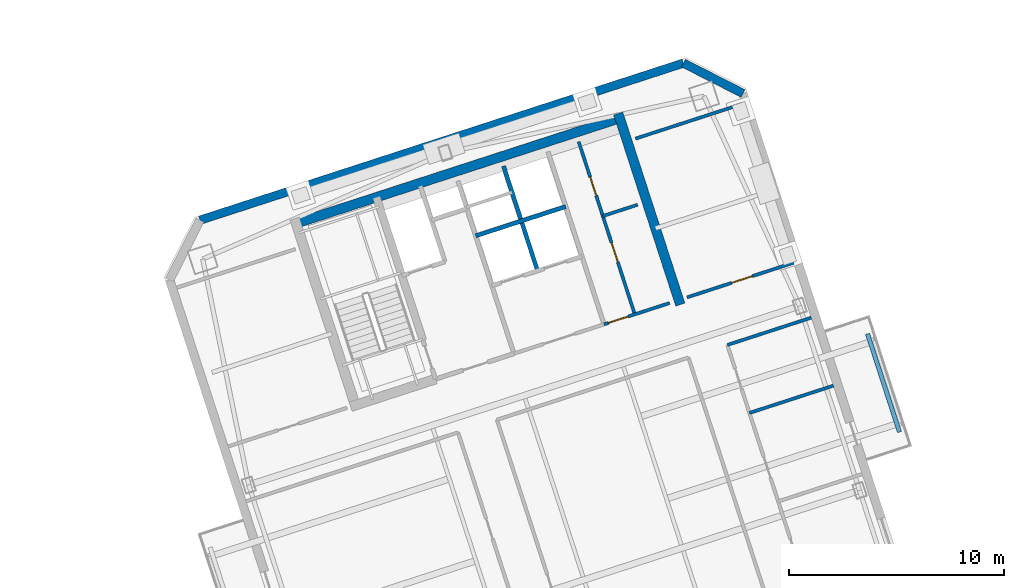
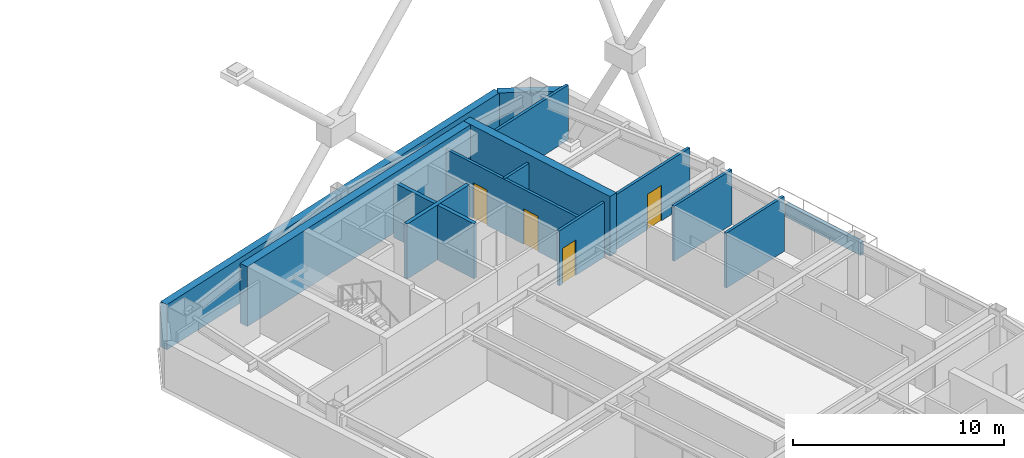
# One storey, part 11 of 16: 14 walls, 4 doors, 4 openings.
"""IFC4 building model written with IfcOpenShell, lengths in metres."""

from ifc_helpers import new_model, si_unit, direction, frame, frame_2d, origin, place, context, subcontext, project, spatial, rectangle, extrude, material, layer, layer_set, type_object, element, fill, save


model = new_model("IFC4")

# Units and contexts
model_context = context("Model", 3, precision=1e-05, world=origin(), true_north=direction((0.0, 1.0)))
body_context = subcontext(model_context, "Body", "Model", "MODEL_VIEW")
ifc_project = project(units=[si_unit("LENGTHUNIT", "METRE"), si_unit("AREAUNIT", "SQUARE_METRE"), si_unit("VOLUMEUNIT", "CUBIC_METRE"), si_unit("PLANEANGLEUNIT", "RADIAN"), si_unit("MASSUNIT", "GRAM", prefix="KILO")], contexts=[model_context])

# Site, building, storey
site_placement = place(None, origin())
site = spatial("IfcSite", under=ifc_project, at=site_placement, CompositionType="ELEMENT")
building_placement = place(site_placement, origin())
building = spatial("IfcBuilding", under=site, at=building_placement, Name="Qiaolan Cultural Towers", CompositionType="ELEMENT")
storey_placement = place(building_placement, frame((0.0, 0.0, 198.949951171875)))
storey = spatial("IfcBuildingStorey", under=building, at=storey_placement, Name="L53", CompositionType="ELEMENT", Elevation=198.949951171875)

# Walls
ifc_material_1 = material(Name="Concrete C50", Category="concrete")
ifc_layer_1 = layer(ifc_material_1, 0.449951171875)
ifc_layer_set_1 = layer_set([ifc_layer_1], Name="Concrete C50")
wall_type_1 = type_object("IfcWallType", Name="WL-CORE-450", PredefinedType="SHEAR", material=ifc_layer_set_1)
wall_1_placement = place(storey_placement, frame((76.414794921875, 50.489013671875, 0.0), z_axis=(0.0, 0.0, 1.0), x_axis=(0.951056810414, 0.309016089169, 0.0)))
element("IfcWall", 1, at=wall_1_placement, inside=storey, type_object=wall_type_1, Name="L53 T2-CN Outer Core Shear Wall", PredefinedType="SHEAR", context=body_context, shape_type="SweptSolid", body=[
    extrude(rectangle(XDim=16.25, YDim=0.449951171875, at=frame_2d((8.125, 0.0))), origin(), (0.0, 0.0, 1.0), 3.449951171875),
])
wall_2_placement = place(storey_placement, frame((94.468994140625, 46.781494140625, 0.0), z_axis=(0.0, 0.0, 1.0), x_axis=(-0.309004419953, 0.951060601881, 0.0)))
element("IfcWall", 2, at=wall_2_placement, inside=storey, type_object=wall_type_1, Name="L53 T2-CN East Core Shear Wall", PredefinedType="SHEAR", context=body_context, shape_type="SweptSolid", body=[
    extrude(rectangle(XDim=9.330078125, YDim=0.449951171875, at=frame_2d((4.6650390625, 0.0))), origin(), (0.0, 0.0, 1.0), 3.449951171875),
])
ifc_material_2 = material(Name="Precast Concrete C50 Honed Stone Pier", Category="masonry")
ifc_layer_2 = layer(ifc_material_2, 0.39990234375)
ifc_layer_set_2 = layer_set([ifc_layer_2], Name="Precast Concrete C50 Honed Stone Pier")
wall_type_2 = type_object("IfcWallType", Name="WL-EXT-PIER-400", PredefinedType="SOLIDWALL", material=ifc_layer_set_2)
wall_3_placement = place(storey_placement, frame((72.16455078125, 50.706298828125, 0.0), z_axis=(0.0, 0.0, 1.0), x_axis=(0.951058012937, 0.309012388148, 0.0)))
element("IfcWall", 3, at=wall_3_placement, inside=storey, type_object=wall_type_2, Name="L53 East Tower Precast Pier Facade Wall F3", PredefinedType="SOLIDWALL", context=body_context, shape_type="SweptSolid", body=[
    extrude(rectangle(XDim=23.60009765625, YDim=0.39990234375, at=frame_2d((11.800048828125, 0.0))), origin(), (0.0, 0.0, 1.0), 2.610107421875),
])
wall_4_placement = place(storey_placement, frame((94.609619140625, 57.9990234375, 0.0), z_axis=(0.0, 0.0, 1.0), x_axis=(0.890979603174, -0.454043331334, 0.0)))
element("IfcWall", 4, at=wall_4_placement, inside=storey, type_object=wall_type_2, Name="L53 East Tower Precast Pier Facade Wall F4", PredefinedType="SOLIDWALL", context=body_context, shape_type="SweptSolid", body=[
    extrude(rectangle(XDim=3.111083984375, YDim=0.39990234375, at=frame_2d((1.5556640625, 0.0))), origin(), (0.0, 0.0, 1.0), 2.610107421875),
])
ifc_material_3 = material(Name="Concrete C35 Fire Wall", Category="concrete")
ifc_layer_3 = layer(ifc_material_3, 0.199951171875)
ifc_layer_set_3 = layer_set([ifc_layer_3], Name="Concrete C35 Fire Wall")
wall_type_3 = type_object("IfcWallType", Name="WL-FIRE-200", PredefinedType="PARTITIONING", material=ifc_layer_set_3)
wall_5_placement = place(storey_placement, frame((87.83837890625, 48.3544921875, 0.0), z_axis=(0.0, 0.0, 1.0), x_axis=(-0.3090093719, 0.951058992953, 0.0)))
element("IfcWall", 5, at=wall_5_placement, inside=storey, type_object=wall_type_3, Name="L53 T2-CN Lift Shaft Divider Wall", PredefinedType="PARTITIONING", context=body_context, shape_type="SweptSolid", body=[
    extrude(rectangle(XDim=5.110107421875, YDim=0.199951171875, at=frame_2d((2.55517578125, 0.0))), origin(), (0.0, 0.0, 1.0), 3.175048828125),
])
wall_6_placement = place(storey_placement, frame((84.966552734375, 49.9765625, 0.0), z_axis=(0.0, 0.0, 1.0), x_axis=(0.951063829732, 0.308994485023, 0.0)))
element("IfcWall", 6, at=wall_6_placement, inside=storey, type_object=wall_type_3, Name="L53 T2-CN Passenger Lift Shaft Back Wall", PredefinedType="PARTITIONING", context=body_context, shape_type="SweptSolid", body=[
    extrude(rectangle(XDim=4.400146484375, YDim=0.199951171875, at=frame_2d((2.2001953125, 0.0))), origin(), (0.0, 0.0, 1.0), 3.175048828125),
])

# Wall, opening, door
ifc_material_4 = material(Name="Autoclaved Aerated Concrete Block B06", Category="concrete")
ifc_layer_4 = layer(ifc_material_4, 0.14990234375)
ifc_layer_set_4 = layer_set([ifc_layer_4], Name="Autoclaved Aerated Concrete Block B06")
wall_type_4 = type_object("IfcWallType", Name="WL-PART-150", PredefinedType="PARTITIONING", material=ifc_layer_set_4)
wall_7_placement = place(storey_placement, frame((90.92822265625, 45.86767578125, 0.0), z_axis=(0.0, 0.0, 1.0), x_axis=(0.951059297078, 0.309008435874, 0.0)))
wall_7 = element("IfcWall", 7, at=wall_7_placement, inside=storey, type_object=wall_type_4, Name="L53 T2-CN Sanitary Core Front Wall", PredefinedType="PARTITIONING", context=body_context, shape_type="SweptSolid", body=[
    extrude(rectangle(XDim=3.19970703125, YDim=0.14990234375, at=frame_2d((1.599853515625, 0.0))), origin(), (0.0, 0.0, 1.0), 3.175048828125),
])
opening_1_placement = place(wall_7_placement, frame((0.219970703125, 0.0, 0.0)))
opening_1 = element("IfcOpeningElement", 8, at=opening_1_placement, cuts=wall_7, Name="Opening ID-05", PredefinedType="OPENING", context=body_context, shape_type="SweptSolid", body=[
    extrude(rectangle(XDim=0.949951171875, YDim=2.050048828125, at=frame_2d((0.47509765625, 1.02490234375))), frame((0.0, 0.0849609375, 0.0), z_axis=(0.0, -1.0, 0.0), x_axis=(1.0, 0.0, 0.0)), (0.0, 0.0, 1.0), 0.169921875),
])
ifc_material_5 = material(Name="Fire-Rated Laminate Accessible Core Door", Category="timber")
door_type_1 = type_object("IfcDoorType", Name="DR-INT-950", OperationType="NOTDEFINED", PredefinedType="DOOR", material=ifc_material_5)
door_1_placement = place(opening_1_placement, origin())
door_1 = element("IfcDoor", 9, at=door_1_placement, inside=storey, type_object=door_type_1, Name="L53 Sanitary Lobby Door", OperationType="SINGLE_SWING_LEFT", OverallHeight=2.050048828125, OverallWidth=0.949951171875, PredefinedType="DOOR", context=body_context, shape_type="SweptSolid", body=[
    extrude(rectangle(XDim=0.949951171875, YDim=2.050048828125, at=frame_2d((0.47509765625, 1.02490234375))), frame((0.0, 0.02490234375, 0.0), z_axis=(0.0, -1.0, 0.0), x_axis=(1.0, 0.0, 0.0)), (0.0, 0.0, 1.0), 0.050048828125),
])
fill(opening_1, door_1)

# Wall, openings, doors
wall_8_placement = place(storey_placement, frame((92.354736328125, 46.3310546875, 0.0), z_axis=(0.0, 0.0, 1.0), x_axis=(-0.309007490203, 0.951059604335, 0.0)))
wall_8 = element("IfcWall", 10, at=wall_8_placement, inside=storey, type_object=wall_type_4, Name="L53 T2-CN Washroom Split Wall", PredefinedType="PARTITIONING", context=body_context, shape_type="SweptSolid", body=[
    extrude(rectangle(XDim=8.43017578125, YDim=0.14990234375, at=frame_2d((4.215087890625, 0.0))), origin(), (0.0, 0.0, 1.0), 3.175048828125),
])
opening_2_placement = place(wall_8_placement, frame((2.550048828125, 0.0, 0.0)))
opening_2 = element("IfcOpeningElement", 11, at=opening_2_placement, cuts=wall_8, Name="Opening ID-05", PredefinedType="OPENING", context=body_context, shape_type="SweptSolid", body=[
    extrude(rectangle(XDim=0.949951171875, YDim=2.050048828125, at=frame_2d((0.47509765625, 1.02490234375))), frame((0.0, 0.0849609375, 0.0), z_axis=(0.0, -1.0, 0.0), x_axis=(1.0, 0.0, 0.0)), (0.0, 0.0, 1.0), 0.169921875),
])
opening_3_placement = place(wall_8_placement, frame((5.800048828125, 0.0, 0.0)))
opening_3 = element("IfcOpeningElement", 12, at=opening_3_placement, cuts=wall_8, Name="Opening ID-06", PredefinedType="OPENING", context=body_context, shape_type="SweptSolid", body=[
    extrude(rectangle(XDim=0.89990234375, YDim=2.050048828125, at=frame_2d((0.449951171875, 1.02490234375))), frame((0.0, 0.0849609375, 0.0), z_axis=(0.0, -1.0, 0.0), x_axis=(1.0, 0.0, 0.0)), (0.0, 0.0, 1.0), 0.169921875),
])
ifc_material_6 = material(Name="Fire-Rated Laminate Core Service Door", Category="timber")
door_type_2 = type_object("IfcDoorType", Name="DR-INT-900", OperationType="NOTDEFINED", PredefinedType="DOOR", material=ifc_material_6)
door_2_placement = place(opening_3_placement, origin())
door_2 = element("IfcDoor", 13, at=door_2_placement, inside=storey, type_object=door_type_2, Name="L53 First-Aid Room Door", OperationType="SINGLE_SWING_RIGHT", OverallHeight=2.050048828125, OverallWidth=0.89990234375, PredefinedType="DOOR", context=body_context, shape_type="SweptSolid", body=[
    extrude(rectangle(XDim=0.89990234375, YDim=2.050048828125, at=frame_2d((0.449951171875, 1.02490234375))), frame((0.0, 0.02490234375, 0.0), z_axis=(0.0, -1.0, 0.0), x_axis=(1.0, 0.0, 0.0)), (0.0, 0.0, 1.0), 0.050048828125),
])
fill(opening_3, door_2)
door_3_placement = place(opening_2_placement, origin())
door_3 = element("IfcDoor", 14, at=door_3_placement, inside=storey, type_object=door_type_1, Name="L53 Accessible Washroom Door", OperationType="SINGLE_SWING_LEFT", OverallHeight=2.050048828125, OverallWidth=0.949951171875, PredefinedType="DOOR", context=body_context, shape_type="SweptSolid", body=[
    extrude(rectangle(XDim=0.949951171875, YDim=2.050048828125, at=frame_2d((0.47509765625, 1.02490234375))), frame((0.0, 0.02490234375, 0.0), z_axis=(0.0, -1.0, 0.0), x_axis=(1.0, 0.0, 0.0)), (0.0, 0.0, 1.0), 0.050048828125),
])
fill(opening_2, door_3)

# Walls
wall_9_placement = place(storey_placement, frame((90.871337890625, 50.896240234375, 0.0), z_axis=(0.0, 0.0, 1.0), x_axis=(0.951054116971, 0.309024378638, 0.0)))
element("IfcWall", 15, at=wall_9_placement, inside=storey, type_object=wall_type_4, Name="L53 T2-CN First-Aid Wall", PredefinedType="PARTITIONING", context=body_context, shape_type="SweptSolid", body=[
    extrude(rectangle(XDim=1.7001953125, YDim=0.14990234375, at=frame_2d((0.85009765625, 0.0))), origin(), (0.0, 0.0, 1.0), 3.175048828125),
])
wall_10_placement = place(storey_placement, frame((92.385009765625, 54.48974609375, 0.0), z_axis=(0.0, 0.0, 1.0), x_axis=(0.951055112834, 0.309021313752, 0.0)))
element("IfcWall", 16, at=wall_10_placement, inside=storey, type_object=wall_type_4, Name="L53 T2 Flank Wall FLK-NE", PredefinedType="PARTITIONING", context=body_context, shape_type="SweptSolid", body=[
    extrude(rectangle(XDim=5.2001953125, YDim=0.14990234375, at=frame_2d((2.60009765625, 0.0))), origin(), (0.0, 0.0, 1.0), 3.175048828125),
])

# Wall, opening, door
wall_11_placement = place(storey_placement, frame((94.77978515625, 47.119140625, 0.0), z_axis=(0.0, 0.0, 1.0), x_axis=(0.951055112834, 0.309021313752, 0.0)))
wall_11 = element("IfcWall", 17, at=wall_11_placement, inside=storey, type_object=wall_type_4, Name="L53 T2 Flank Front FLK-NE", PredefinedType="PARTITIONING", context=body_context, shape_type="SweptSolid", body=[
    extrude(rectangle(XDim=5.2001953125, YDim=0.14990234375, at=frame_2d((2.60009765625, 0.0))), origin(), (0.0, 0.0, 1.0), 3.175048828125),
])
opening_4_placement = place(wall_11_placement, frame((2.18408203125, 0.0, 0.0)))
opening_4 = element("IfcOpeningElement", 18, at=opening_4_placement, cuts=wall_11, Name="Opening ID-04", PredefinedType="OPENING", context=body_context, shape_type="SweptSolid", body=[
    extrude(rectangle(XDim=1.0, YDim=2.050048828125, at=frame_2d((0.5, 1.02490234375))), frame((0.0, 0.0849609375, 0.0), z_axis=(0.0, -1.0, 0.0), x_axis=(1.0, 0.0, 0.0)), (0.0, 0.0, 1.0), 0.169921875),
])
ifc_material_7 = material(Name="Oak Veneer Acoustic Office Door", Category="timber")
door_type_3 = type_object("IfcDoorType", Name="DR-INT-1000", OperationType="NOTDEFINED", PredefinedType="DOOR", material=ifc_material_7)
door_4_placement = place(opening_4_placement, origin())
door_4 = element("IfcDoor", 19, at=door_4_placement, inside=storey, type_object=door_type_3, Name="L53 T2 Corner Studio Door", OperationType="SINGLE_SWING_LEFT", OverallHeight=2.050048828125, OverallWidth=1.0, PredefinedType="DOOR", context=body_context, shape_type="SweptSolid", body=[
    extrude(rectangle(XDim=1.0, YDim=2.050048828125, at=frame_2d((0.5, 1.02490234375))), frame((0.0, 0.02490234375, 0.0), z_axis=(0.0, -1.0, 0.0), x_axis=(1.0, 0.0, 0.0)), (0.0, 0.0, 1.0), 0.050048828125),
])
fill(opening_4, door_4)

# Walls
wall_12_placement = place(storey_placement, frame((96.654296875, 44.91015625, 0.0), z_axis=(0.0, 0.0, 1.0), x_axis=(0.951044133184, 0.309055103076, 0.0)))
element("IfcWall", 20, at=wall_12_placement, inside=storey, type_object=wall_type_4, Name="L53 T2 Interior Wall", PredefinedType="PARTITIONING", context=body_context, shape_type="SweptSolid", body=[
    extrude(rectangle(XDim=4.099853515625, YDim=0.14990234375, at=frame_2d((2.0498046875, 0.0))), origin(), (0.0, 0.0, 1.0), 3.175048828125),
])
wall_13_placement = place(storey_placement, frame((97.68017578125, 41.752685546875, 0.0), z_axis=(0.0, 0.0, 1.0), x_axis=(0.951049820449, 0.30903760131, 0.0)))
element("IfcWall", 21, at=wall_13_placement, inside=storey, type_object=wall_type_4, Name="L53 T2 Interior Wall", PredefinedType="PARTITIONING", context=body_context, shape_type="SweptSolid", body=[
    extrude(rectangle(XDim=4.10009765625, YDim=0.14990234375, at=frame_2d((2.050048828125, 0.0))), origin(), (0.0, 0.0, 1.0), 3.175048828125),
])
ifc_material_8 = material(Name="Precast Concrete C45 Tree Planter Upstand", Category="concrete")
ifc_layer_5 = layer(ifc_material_8, 0.199951171875)
ifc_layer_set_5 = layer_set([ifc_layer_5], Name="Precast Concrete C45 Tree Planter Upstand")
wall_type_5 = type_object("IfcWallType", Name="WL-PLANTER-200", PredefinedType="PARAPET", material=ifc_layer_set_5)
wall_14_placement = place(storey_placement, frame((104.646484375, 40.86181640625, 0.0), z_axis=(0.0, 0.0, 1.0), x_axis=(-0.309032019345, 0.951051634255, 0.0)))
element("IfcWall", 22, at=wall_14_placement, inside=storey, type_object=wall_type_5, Name="L53 T2 Tree Balcony Soil Planter Box E", PredefinedType="PARAPET", context=body_context, shape_type="SweptSolid", body=[
    extrude(rectangle(XDim=4.800048828125, YDim=0.199951171875, at=frame_2d((2.39990234375, 0.0))), origin(), (0.0, 0.0, 1.0), 0.75),
])

save(model, "model.ifc")
